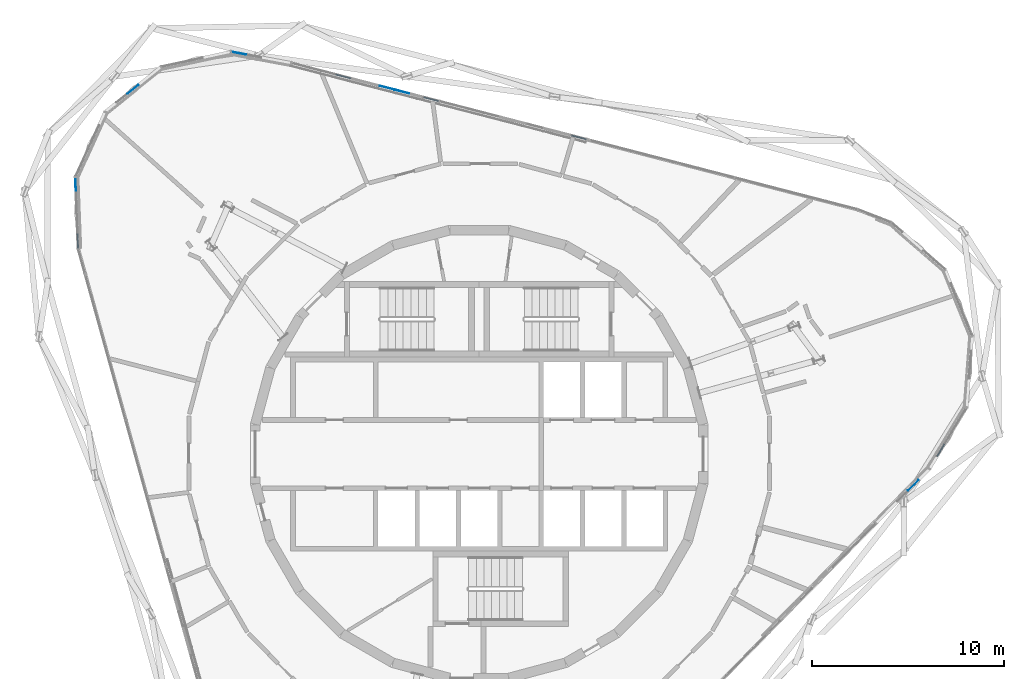
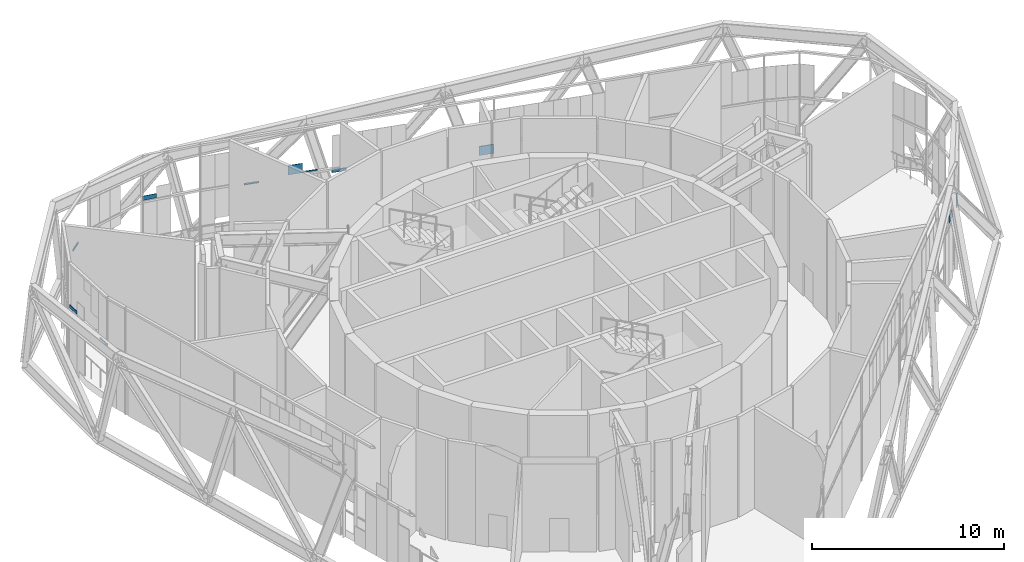
# One storey, part 16 of 23: 11 plates, 3 elements without a shape of their own.
"""IFC4 building model written with IfcOpenShell, lengths in metres."""

import ifcopenshell
import ifcopenshell.guid

model = None  # the IFC model being written
_history = None  # IfcOwnerHistory: only IFC2X3 demands one
_inside = {}  # id of a spatial element -> (the spatial element, [elements in it])
_under = {}  # id of a project, library or spatial element -> (it, [spatial elements below it])
_declared = {}  # id of a project -> (the project, [libraries it declares])
_typed = {}  # id of a type object -> (the type object, [elements of that type])
_made_of = {}  # id of a material, layer set ... -> (it, [elements and type objects made of it])


def new_model(schema):
    """Start an empty IFC model of exactly this schema.

    Asked for "IFC4X3", IfcOpenShell would pick the latest addendum, in which some entities
    have other attributes; the version numbers below select the first issue.
    IFC2X3 requires an IfcOwnerHistory on every rooted entity: one is made here for all.
    """
    global model, _history
    if schema == "IFC4X3":
        model = ifcopenshell.file(schema_version=(4, 3, 0, 0))
    else:
        model = ifcopenshell.file(schema=schema)
    _inside.clear()
    _under.clear()
    _declared.clear()
    _typed.clear()
    _made_of.clear()
    _history = None
    if model.schema == "IFC2X3":
        org = make("IfcOrganization", Name="unknown")
        user = make(
            "IfcPersonAndOrganization",
            ThePerson=make("IfcPerson", FamilyName="unknown"),
            TheOrganization=org,
        )
        app = make(
            "IfcApplication",
            ApplicationDeveloper=org,
            Version="unknown",
            ApplicationFullName="unknown",
            ApplicationIdentifier="unknown",
        )
        _history = make(
            "IfcOwnerHistory",
            OwningUser=user,
            OwningApplication=app,
            ChangeAction="ADDED",
            CreationDate=0,
        )
    return model


def make(cls, **values):
    """One entity of the class cls with the attributes given. An attribute that is None is left unset."""
    return model.create_entity(
        cls, **{name: value for name, value in values.items() if value is not None}
    )


def rooted(cls, **values):
    """An entity with a GlobalId (a new one), such as an element, a storey or a relation."""
    return make(cls, GlobalId=ifcopenshell.guid.new(), OwnerHistory=_history, **values)


def si_unit(unit_type, name, prefix=None):
    """IfcSIUnit, for example si_unit("LENGTHUNIT", "METRE", prefix="MILLI")."""
    return make("IfcSIUnit", UnitType=unit_type, Prefix=prefix, Name=name)


def assignment(units):
    """IfcUnitAssignment: the units of a project."""
    return None if units is None else make("IfcUnitAssignment", Units=units)


def point(xyz):
    """IfcCartesianPoint."""
    return None if xyz is None else make("IfcCartesianPoint", Coordinates=xyz)


def direction(xyz):
    """IfcDirection."""
    return None if xyz is None else make("IfcDirection", DirectionRatios=xyz)


def frame(location, z_axis=None, x_axis=None):
    """IfcAxis2Placement3D, a coordinate frame: its origin and axes. An axis left out is left unset."""
    return make(
        "IfcAxis2Placement3D",
        Location=point(location),
        Axis=direction(z_axis),
        RefDirection=direction(x_axis),
    )


def frame_2d(location, x_axis=None):
    """IfcAxis2Placement2D, a coordinate frame in the plane: its origin and x axis."""
    return make(
        "IfcAxis2Placement2D", Location=point(location), RefDirection=direction(x_axis)
    )


def origin():
    """The frame at (0, 0, 0) with its axes left unset."""
    return frame((0.0, 0.0, 0.0))


def origin_2d():
    """The frame at (0, 0) in the plane with its x axis left unset."""
    return frame_2d((0.0, 0.0))


def place(relative_to, where):
    """IfcLocalPlacement: puts the frame where relative to a parent placement (None: the world)."""
    return make(
        "IfcLocalPlacement", PlacementRelTo=relative_to, RelativePlacement=where
    )


def context(
    kind, dimensions, precision=None, world=None, true_north=None, identifier=None
):
    """IfcGeometricRepresentationContext, for example the 3D "Model" context."""
    return make(
        "IfcGeometricRepresentationContext",
        ContextIdentifier=identifier,
        ContextType=kind,
        CoordinateSpaceDimension=dimensions,
        Precision=precision,
        WorldCoordinateSystem=world,
        TrueNorth=true_north,
    )


def subcontext(parent, identifier, kind, view, scale=None):
    """IfcGeometricRepresentationSubContext, for example "Body" below "Model"."""
    return make(
        "IfcGeometricRepresentationSubContext",
        ContextIdentifier=identifier,
        ContextType=kind,
        ParentContext=parent,
        TargetScale=scale,
        TargetView=view,
    )


def project(units=None, contexts=None):
    """IfcProject with its units and contexts."""
    return rooted(
        "IfcProject",
        Name="project",
        RepresentationContexts=contexts,
        UnitsInContext=assignment(units),
    )


def spatial(cls, under=None, at=None, **own):
    """A site, building, storey or space (cls), placed at a placement, below another one or the project."""
    s = rooted(cls, ObjectPlacement=at, **own)
    if under is not None:
        _under.setdefault(under.id(), (under, []))[1].append(s)
    return s


def profile(cls, at=None, kind="AREA", **sizes):
    """A parametric profile (cls). Its sizes go by their IFC names, for example OverallWidth=200.0."""
    return make(cls, ProfileType=kind, Position=at, **sizes)


def rectangle(**sizes):
    """IfcRectangleProfileDef."""
    return profile("IfcRectangleProfileDef", **sizes)


def extrude(swept, where, along, depth):
    """IfcExtrudedAreaSolid: the profile swept, set in the frame where, extruded along a direction by depth."""
    return make(
        "IfcExtrudedAreaSolid",
        SweptArea=swept,
        Position=where,
        ExtrudedDirection=direction(along),
        Depth=depth,
    )


def shape(context_of_items, identifier, shape_type, items):
    """IfcShapeRepresentation: the items that make up one representation, for example the "Body"."""
    return make(
        "IfcShapeRepresentation",
        ContextOfItems=context_of_items,
        RepresentationIdentifier=identifier,
        RepresentationType=shape_type,
        Items=items,
    )


def material(Name=None, Category=None):
    """IfcMaterial."""
    return make("IfcMaterial", Name=Name, Category=Category)


def layer(
    of_material, thickness, ventilated=None, Name=None, Category=None, Priority=None
):
    """IfcMaterialLayer: one layer of a wall or slab, of a material (None: an air gap)."""
    return make(
        "IfcMaterialLayer",
        Material=of_material,
        LayerThickness=thickness,
        IsVentilated=ventilated,
        Name=Name,
        Category=Category,
        Priority=Priority,
    )


def layer_set(layers, Name=None):
    """IfcMaterialLayerSet."""
    return make("IfcMaterialLayerSet", MaterialLayers=layers, LayerSetName=Name)


def made_of(thing, what):
    """Note that an element or type object is made of a material, layer set ...; save() writes the relation."""
    if what is not None:
        _made_of.setdefault(what.id(), (what, []))[1].append(thing)
    return thing


def type_object(cls, material=None, **own):
    """A type object (cls), such as IfcWallType, which elements share."""
    return made_of(rooted(cls, **own), material)


def element(
    cls,
    number,
    at=None,
    inside=None,
    cuts=None,
    type_object=None,
    material=None,
    context=None,
    identifier="Body",
    shape_type=None,
    held_by="IfcProductDefinitionShape",
    body=None,
    shapes=None,
    **own,
):
    """One element of the class cls, such as IfcWall. Its Tag is "e" and its number.

    at: its placement. inside: the storey or other place that contains it. cuts: it is an
    opening in that element (IfcRelVoidsElement). A single representation is given by context,
    identifier, shape_type and body (its items); several are given by shapes. held_by: the class
    of the entity that holds the representations. save() writes the other relations.
    """
    e = rooted(cls, Tag="e%d" % number, ObjectPlacement=at, **own)
    if body is not None:
        shapes = [shape(context, identifier, shape_type, body)]
    if shapes is not None:
        e.Representation = make(held_by, Representations=shapes)
    if inside is not None:
        _inside.setdefault(inside.id(), (inside, []))[1].append(e)
    if cuts is not None:
        rooted(
            "IfcRelVoidsElement", RelatingBuildingElement=cuts, RelatedOpeningElement=e
        )
    if type_object is not None:
        _typed.setdefault(type_object.id(), (type_object, []))[1].append(e)
    return made_of(e, material)


def aggregate(whole, parts):
    """IfcRelAggregates: a whole, such as a stair, and the parts it consists of."""
    return rooted("IfcRelAggregates", RelatingObject=whole, RelatedObjects=parts)


def save(model, path):
    """Write the relations noted so far, then the file.

    IfcRelAggregates (storeys below a building ...), IfcRelContainedInSpatialStructure (elements
    in a storey), IfcRelDefinesByType, IfcRelAssociatesMaterial and IfcRelDeclares: one each for
    every whole, place, type object, material and project.
    """
    for whole, parts in _under.values():
        aggregate(whole, parts)
    for where, things in _inside.values():
        rooted(
            "IfcRelContainedInSpatialStructure",
            RelatedElements=things,
            RelatingStructure=where,
        )
    for kind, things in _typed.values():
        rooted("IfcRelDefinesByType", RelatedObjects=things, RelatingType=kind)
    for what, things in _made_of.values():
        rooted("IfcRelAssociatesMaterial", RelatedObjects=things, RelatingMaterial=what)
    for by, libraries in _declared.values():
        rooted("IfcRelDeclares", RelatingContext=by, RelatedDefinitions=libraries)
    model.write(path)


model = new_model("IFC4")

# Units and contexts
model_context = context("Model", 3, precision=1e-05, world=origin(), true_north=direction((0.0, 1.0)))
body_context = subcontext(model_context, "Body", "Model", "MODEL_VIEW")
ifc_project = project(units=[si_unit("LENGTHUNIT", "METRE"), si_unit("AREAUNIT", "SQUARE_METRE"), si_unit("VOLUMEUNIT", "CUBIC_METRE"), si_unit("PLANEANGLEUNIT", "RADIAN"), si_unit("MASSUNIT", "GRAM", prefix="KILO")], contexts=[model_context])

# Site, building, storey
site_placement = place(None, origin())
site = spatial("IfcSite", under=ifc_project, at=site_placement, CompositionType="ELEMENT")
building_placement = place(site_placement, origin())
building = spatial("IfcBuilding", under=site, at=building_placement, Name="Spindle Arch Residences", CompositionType="ELEMENT")
storey_placement = place(building_placement, frame((0.0, 0.0, 326.199951171875)))
storey = spatial("IfcBuildingStorey", under=building, at=storey_placement, Name="L84", CompositionType="ELEMENT", Elevation=326.199951171875)

# Curtain wall, plate
ifc_material_1 = material(Name="Aluminium bronze unitised frame with tinted glass", Category="aluminium")
ifc_layer_1 = layer(ifc_material_1, 0.159912109375)
ifc_layer_set_1 = layer_set([ifc_layer_1], Name="CW-E double-height winter garden wall")
curtain_wall_type = type_object("IfcCurtainWallType", Name="CW-E double-height winter garden wall", PredefinedType="NOTDEFINED", material=ifc_layer_set_1)
curtain_wall_1_placement = place(storey_placement, origin())
curtain_wall_1 = element("IfcCurtainWall", 1, at=curtain_wall_1_placement, inside=storey, type_object=curtain_wall_type, Name="CW-E L84 run 1", PredefinedType="NOTDEFINED")
ifc_material_2 = material(Name="Tinted laminated glass 28 mm", Category="glass")
ifc_layer_2 = layer(ifc_material_2, 0.028076171875)
ifc_layer_set_2 = layer_set([ifc_layer_2], Name="Tinted glass panel 28 mm")
plate_type_1 = type_object("IfcPlateType", Name="Tinted glass panel 28 mm", PredefinedType="CURTAIN_PANEL", material=ifc_layer_set_2)
plate_1_placement = place(storey_placement, frame((22.582275390625, -1.623291015625, 3.4599609375), z_axis=(0.0, 0.0, 1.0), x_axis=(0.7009092643, 0.713250449154, 0.0)))
plate_1 = element("IfcPlate", 2, at=plate_1_placement, type_object=plate_type_1, Name="CW-E panel 00b.2", PredefinedType="CURTAIN_PANEL", context=body_context, shape_type="SweptSolid", body=[
    extrude(rectangle(XDim=0.7822265625, YDim=0.028076171875, at=origin_2d()), origin(), (0.0, 0.0, 1.0), 0.466796875),
])

# Curtain wall, plates
curtain_wall_2_placement = place(storey_placement, origin())
curtain_wall_2 = element("IfcCurtainWall", 3, at=curtain_wall_2_placement, inside=storey, type_object=curtain_wall_type, Name="CW-E L84 run 2", PredefinedType="NOTDEFINED")
plate_2_placement = place(storey_placement, frame((-4.019287109375, 18.8515625, 3.4599609375), z_axis=(0.0, 0.0, 1.0), x_axis=(-0.968147640378, 0.250380004054, 0.0)))
plate_2 = element("IfcPlate", 4, at=plate_2_placement, type_object=plate_type_1, Name="CW-E panel 07Ab.2", PredefinedType="CURTAIN_PANEL", context=body_context, shape_type="SweptSolid", body=[
    extrude(rectangle(XDim=0.78759765625, YDim=0.028076171875, at=origin_2d()), origin(), (0.0, 0.0, 1.0), 0.0576171875),
])
plate_3_placement = place(storey_placement, frame((-4.78173828125, 19.048583984375, 3.4599609375), z_axis=(0.0, 0.0, 1.0), x_axis=(-0.968147640378, 0.250380004054, 0.0)))
plate_3 = element("IfcPlate", 5, at=plate_3_placement, type_object=plate_type_1, Name="CW-E panel 07Ab.3", PredefinedType="CURTAIN_PANEL", context=body_context, shape_type="SweptSolid", body=[
    extrude(rectangle(XDim=0.78759765625, YDim=0.028076171875, at=origin_2d()), origin(), (0.0, 0.0, 1.0), 0.595458984375),
])

curtain_wall_3_placement = place(storey_placement, origin())
curtain_wall_3 = element("IfcCurtainWall", 6, at=curtain_wall_3_placement, inside=storey, type_object=curtain_wall_type, Name="CW-E L84 run 3", PredefinedType="NOTDEFINED")
plate_4_placement = place(storey_placement, frame((-12.493896484375, 20.847900390625, 3.4599609375), z_axis=(0.0, 0.0, 1.0), x_axis=(-0.98295670176, 0.183837217301, 0.0)))
plate_4 = element("IfcPlate", 7, at=plate_4_placement, type_object=plate_type_1, Name="CW-E panel 00b.2", PredefinedType="CURTAIN_PANEL", context=body_context, shape_type="SweptSolid", body=[
    extrude(rectangle(XDim=0.7841796875, YDim=0.028076171875, at=origin_2d()), origin(), (0.0, 0.0, 1.0), 0.274658203125),
])
plate_5_placement = place(storey_placement, frame((-18.00341796875, 18.9716796875, 3.4599609375), z_axis=(0.0, 0.0, 1.0), x_axis=(-0.778973288411, -0.627057107401, 0.0)))
plate_5 = element("IfcPlate", 8, at=plate_5_placement, type_object=plate_type_1, Name="CW-E panel 02b.1", PredefinedType="CURTAIN_PANEL", context=body_context, shape_type="SweptSolid", body=[
    extrude(rectangle(XDim=0.7333984375, YDim=0.028076171875, at=origin_2d()), origin(), (0.0, 0.0, 1.0), 0.130615234375),
])
plate_6_placement = place(storey_placement, frame((-20.986083984375, 14.03369140625, 3.4599609375), z_axis=(0.0, 0.0, 1.0), x_axis=(0.037806455536, -0.999285080405, 0.0)))
plate_6 = element("IfcPlate", 9, at=plate_6_placement, type_object=plate_type_1, Name="CW-E panel 04b.1", PredefinedType="CURTAIN_PANEL", context=body_context, shape_type="SweptSolid", body=[
    extrude(rectangle(XDim=0.697265625, YDim=0.028076171875, at=origin_2d()), origin(), (0.0, 0.0, 1.0), 0.204345703125),
])

# Plate
ifc_material_3 = material(Name="Tinted double glazing over aluminium faced non-combustible spandrel zone (K0)", Category="aluminium")
ifc_layer_3 = layer(ifc_material_3, 0.06005859375)
ifc_layer_set_3 = layer_set([ifc_layer_3], Name="Unitised glass panel with E 60 spandrel zone")
plate_type_2 = type_object("IfcPlateType", Name="Unitised glass panel with E 60 spandrel zone", PredefinedType="CURTAIN_PANEL", material=ifc_layer_set_3)
plate_7_placement = place(storey_placement, frame((24.010498046875, 0.201904296875, 2.93212890625), z_axis=(0.0, 0.0, 1.0), x_axis=(0.517529288252, 0.855665492936, 0.0)))
plate_7 = element("IfcPlate", 10, at=plate_7_placement, type_object=plate_type_2, Name="CW-E panel 01a.1", PredefinedType="CURTAIN_PANEL", context=body_context, shape_type="SweptSolid", body=[
    extrude(rectangle(XDim=0.7333984375, YDim=0.06005859375, at=origin_2d()), origin(), (0.0, 0.0, 1.0), 0.407958984375),
])

aggregate(curtain_wall_1, [plate_1, plate_7])

plate_8_placement = place(storey_placement, frame((5.187744140625, 16.47021484375, 2.7734375), z_axis=(0.0, 0.0, 1.0), x_axis=(-0.968147640378, 0.250380004054, 0.0)))
plate_8 = element("IfcPlate", 11, at=plate_8_placement, type_object=plate_type_2, Name="CW-E panel 06Aa.1", PredefinedType="CURTAIN_PANEL", context=body_context, shape_type="SweptSolid", body=[
    extrude(rectangle(XDim=0.78759765625, YDim=0.06005859375, at=origin_2d()), origin(), (0.0, 0.0, 1.0), 0.566650390625),
])

plate_9_placement = place(storey_placement, frame((-2.494384765625, 18.45703125, 3.168701171875), z_axis=(0.0, 0.0, 1.0), x_axis=(-0.968147640378, 0.250380004054, 0.0)))
plate_9 = element("IfcPlate", 12, at=plate_9_placement, type_object=plate_type_2, Name="CW-E panel 07Aa.1", PredefinedType="CURTAIN_PANEL", context=body_context, shape_type="SweptSolid", body=[
    extrude(rectangle(XDim=0.78759765625, YDim=0.06005859375, at=origin_2d()), origin(), (0.0, 0.0, 1.0), 0.17138671875),
])

plate_10_placement = place(storey_placement, frame((-7.069091796875, 19.64013671875, 3.2626953125), z_axis=(0.0, 0.0, 1.0), x_axis=(-0.968147640378, 0.250380004054, 0.0)))
plate_10 = element("IfcPlate", 13, at=plate_10_placement, type_object=plate_type_2, Name="CW-E panel 07Ba.3", PredefinedType="CURTAIN_PANEL", context=body_context, shape_type="SweptSolid", body=[
    extrude(rectangle(XDim=0.78759765625, YDim=0.06005859375, at=origin_2d()), origin(), (0.0, 0.0, 1.0), 0.077392578125),
])

aggregate(curtain_wall_2, [plate_8, plate_9, plate_2, plate_3, plate_10])

plate_11_placement = place(storey_placement, frame((-20.87451171875, 11.084228515625, 3.257080078125), z_axis=(0.0, 0.0, 1.0), x_axis=(0.037806455536, -0.999285080405, 0.0)))
plate_11 = element("IfcPlate", 14, at=plate_11_placement, type_object=plate_type_2, Name="CW-E panel 04a.3", PredefinedType="CURTAIN_PANEL", context=body_context, shape_type="SweptSolid", body=[
    extrude(rectangle(XDim=0.7333984375, YDim=0.06005859375, at=origin_2d()), origin(), (0.0, 0.0, 1.0), 0.0830078125),
])

aggregate(curtain_wall_3, [plate_4, plate_5, plate_11, plate_6])

save(model, "model.ifc")
